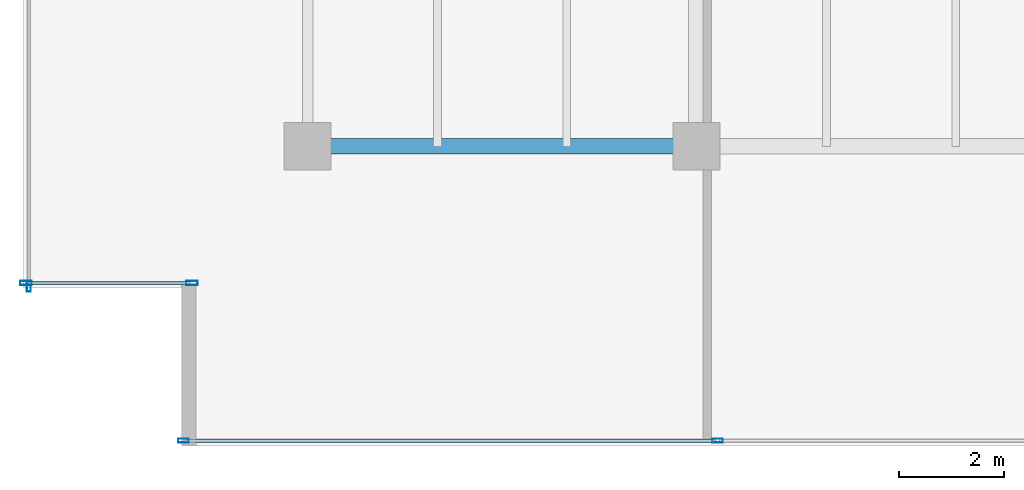
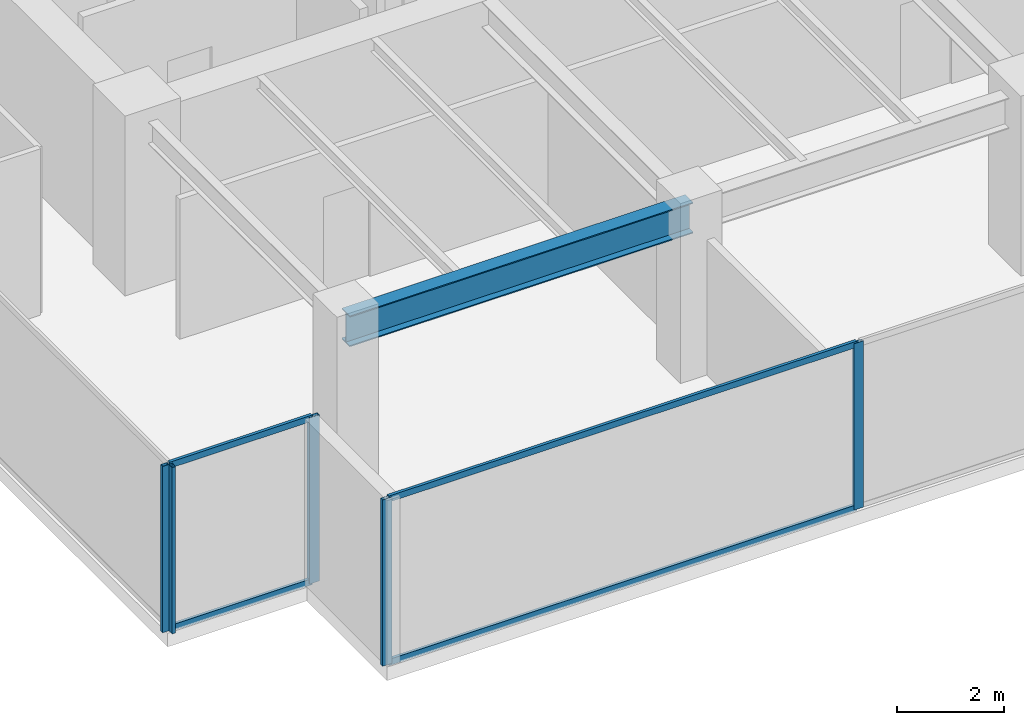
# One storey, part 2 of 31: 9 members, 1 beam, 3 elements without a shape of their own.
"""IFC4 building model written with IfcOpenShell, lengths in metres."""

from ifc_helpers import new_model, si_unit, direction, frame, origin, origin_2d, place, context, subcontext, project, spatial, hollow_rectangle, i_section, extrude, source, transform, mapped, material, layer, layer_set, material_profile, profile_set, type_object, type_shapes, element, aggregate, save


model = new_model("IFC4")

# Units and contexts
model_context = context("Model", 3, precision=1e-05, world=origin(), true_north=direction((0.0, 1.0)))
body_context = subcontext(model_context, "Body", "Model", "MODEL_VIEW")
ifc_project = project(units=[si_unit("LENGTHUNIT", "METRE"), si_unit("AREAUNIT", "SQUARE_METRE"), si_unit("VOLUMEUNIT", "CUBIC_METRE"), si_unit("PLANEANGLEUNIT", "RADIAN"), si_unit("MASSUNIT", "GRAM", prefix="KILO")], contexts=[model_context])

# Site, building, storey
site_placement = place(None, origin())
site = spatial("IfcSite", under=ifc_project, at=site_placement, CompositionType="ELEMENT")
building_placement = place(site_placement, origin())
building = spatial("IfcBuilding", under=site, at=building_placement, Name="Haelvirn Gate Laboratories", CompositionType="ELEMENT")
storey_placement = place(building_placement, frame((0.0, 0.0, 154.300048828125)))
storey = spatial("IfcBuildingStorey", under=building, at=storey_placement, Name="L37", CompositionType="ELEMENT", Elevation=154.300048828125)

# Beam
ifc_material_1 = material(Name="Steel SM355", Category="steel")
ifc_material_profile_1 = material_profile(ifc_material_1, i_section(OverallWidth=0.300048828125, OverallDepth=0.699951171875, WebThickness=0.012939453125, FlangeThickness=0.02392578125, at=origin_2d()), Name="H-700x300x13x24")
ifc_profile_set_1 = profile_set([ifc_material_profile_1], Name="Steel SM355")
beam_type = type_object("IfcBeamType", Name="BM-G-700", PredefinedType="BEAM", material=ifc_profile_set_1)
shared_shape_1 = source(origin(), body_context, "Body", "SweptSolid", [
    extrude(i_section(OverallWidth=0.300048828125, OverallDepth=0.699951171875, WebThickness=0.012939453125, FlangeThickness=0.02392578125, at=origin_2d()), origin(), (0.0, 0.0, 1.0), 7.400146484375),
])
type_shapes(beam_type, [shared_shape_1])
beam_placement = place(storey_placement, frame((7.39990234375, 7.0, 3.43994140625), z_axis=(1.0, 0.0, 0.0), x_axis=(0.0, 1.0, 0.0)))
element("IfcBeam", 1, at=beam_placement, inside=storey, type_object=beam_type, Name="L37 Primary Girder Y7.0 (7.4-14.8)", PredefinedType="BEAM", context=body_context, shape_type="MappedRepresentation", body=[
    mapped(shared_shape_1, transform((0.0, 0.0, 0.0), scale=1.0)),
])

# Curtain wall, members
ifc_material_2 = material(Name="Anodised bronze unitised aluminium & triple low-E glass", Category="aluminium")
ifc_layer_1 = layer(ifc_material_2, 0.179931640625, Name="CW-SYS-3")
ifc_layer_set_1 = layer_set([ifc_layer_1], Name="Anodised bronze unitised aluminium & triple low-E glass")
curtain_wall_type_1 = type_object("IfcCurtainWallType", Name="CW-SYS-3", PredefinedType="NOTDEFINED", material=ifc_layer_set_1)
curtain_wall_1_placement = place(storey_placement, origin())
curtain_wall_1 = element("IfcCurtainWall", 2, at=curtain_wall_1_placement, inside=storey, type_object=curtain_wall_type_1, Name="L37 Unitised Curtain Wall CW-L37-P0-E00-1", PredefinedType="NOTDEFINED")
ifc_material_3 = material(Name="Extruded aluminium 6063-T6 (anodised bronze)", Category="aluminium")
ifc_material_profile_2 = material_profile(ifc_material_3, hollow_rectangle(XDim=0.06494140625, YDim=0.139892578125, WallThickness=0.00390625, at=origin_2d()), Name="CWT-140x65x4")
ifc_profile_set_2 = profile_set([ifc_material_profile_2], Name="Extruded aluminium 6063-T6 (anodised bronze)")
member_type_1 = type_object("IfcMemberType", Name="CWT-T140", PredefinedType="USERDEFINED", material=ifc_profile_set_2)
shared_shape_2 = source(origin(), body_context, "Body", "SweptSolid", [
    extrude(hollow_rectangle(XDim=0.06494140625, YDim=0.139892578125, WallThickness=0.00390625, at=origin_2d()), origin(), (0.0, 0.0, 1.0), 10.087646484375),
])
member_1_placement = place(storey_placement, frame((5.074951171875, 1.39990234375, 0.032470703125), z_axis=(1.0, 0.0, 0.0), x_axis=(0.0, 1.0, 0.0)))
member_1 = element("IfcMember", 3, at=member_1_placement, type_object=member_type_1, Name="CW3 transom 1.1", ObjectType="TRANSOM", PredefinedType="USERDEFINED", context=body_context, shape_type="MappedRepresentation", body=[
    mapped(shared_shape_2, transform((0.0, 0.0, 0.0), scale=1.0)),
])
member_2_placement = place(storey_placement, frame((5.074951171875, 1.39990234375, 3.757568359375), z_axis=(1.0, 0.0, 0.0), x_axis=(0.0, 1.0, 0.0)))
member_2 = element("IfcMember", 4, at=member_2_placement, type_object=member_type_1, Name="CW3 transom 1.2", ObjectType="TRANSOM", PredefinedType="USERDEFINED", context=body_context, shape_type="MappedRepresentation", body=[
    mapped(shared_shape_2, transform((0.0, 0.0, 0.0), scale=1.0)),
])

ifc_layer_2 = layer(ifc_material_2, 0.181884765625, Name="CW-SYS-5")
ifc_layer_set_2 = layer_set([ifc_layer_2], Name="Anodised bronze unitised aluminium & triple low-E glass")
curtain_wall_type_2 = type_object("IfcCurtainWallType", Name="CW-SYS-5", PredefinedType="NOTDEFINED", material=ifc_layer_set_2)
curtain_wall_2_placement = place(storey_placement, origin())
curtain_wall_2 = element("IfcCurtainWall", 5, at=curtain_wall_2_placement, inside=storey, type_object=curtain_wall_type_2, Name="L37 Unitised Curtain Wall CW-L37-P0-E18-1", PredefinedType="NOTDEFINED")
shared_shape_3 = source(origin(), body_context, "Body", "SweptSolid", [
    extrude(hollow_rectangle(XDim=0.06494140625, YDim=0.139892578125, WallThickness=0.00390625, at=origin_2d()), origin(), (0.0, 0.0, 1.0), 3.079833984375),
])
type_shapes(member_type_1, [shared_shape_2, shared_shape_3])
member_3_placement = place(storey_placement, frame((2.080078125, 4.39990234375, 0.032470703125), z_axis=(1.0, 0.0, 0.0), x_axis=(0.0, 1.0, 0.0)))
member_3 = element("IfcMember", 6, at=member_3_placement, type_object=member_type_1, Name="CW5 transom 1.1", ObjectType="TRANSOM", PredefinedType="USERDEFINED", context=body_context, shape_type="MappedRepresentation", body=[
    mapped(shared_shape_3, transform((0.0, 0.0, 0.0), scale=1.0)),
])
member_4_placement = place(storey_placement, frame((2.080078125, 4.39990234375, 3.757568359375), z_axis=(1.0, 0.0, 0.0), x_axis=(0.0, 1.0, 0.0)))
member_4 = element("IfcMember", 7, at=member_4_placement, type_object=member_type_1, Name="CW5 transom 1.2", ObjectType="TRANSOM", PredefinedType="USERDEFINED", context=body_context, shape_type="MappedRepresentation", body=[
    mapped(shared_shape_3, transform((0.0, 0.0, 0.0), scale=1.0)),
])

# Member
ifc_material_profile_3 = material_profile(ifc_material_3, hollow_rectangle(XDim=0.074951171875, YDim=0.199951171875, WallThickness=0.0048828125, at=origin_2d()), Name="CWM-200x75x5")
ifc_profile_set_3 = profile_set([ifc_material_profile_3], Name="Extruded aluminium 6063-T6 (anodised bronze)")
member_type_2 = type_object("IfcMemberType", Name="CWM-T200", PredefinedType="MULLION", material=ifc_profile_set_3)
shared_shape_4 = source(origin(), body_context, "Body", "SweptSolid", [
    extrude(hollow_rectangle(XDim=0.074951171875, YDim=0.199951171875, WallThickness=0.0048828125, at=origin_2d()), origin(), (0.0, 0.0, 1.0), 3.7900390625),
])
type_shapes(member_type_2, [shared_shape_4])
member_5_placement = place(storey_placement, frame((5.03759765625, 1.39990234375, 0.0), z_axis=(0.0, 0.0, 1.0), x_axis=(0.0, 1.0, 0.0)))
member_5 = element("IfcMember", 8, at=member_5_placement, type_object=member_type_2, Name="CW3 mullion 1", PredefinedType="MULLION", context=body_context, shape_type="MappedRepresentation", body=[
    mapped(shared_shape_4, transform((0.0, 0.0, 0.0), scale=1.0)),
])

member_6_placement = place(storey_placement, frame((15.199951171875, 1.39990234375, 0.0), z_axis=(0.0, 0.0, 1.0), x_axis=(0.0, 1.0, 0.0)))
member_6 = element("IfcMember", 9, at=member_6_placement, type_object=member_type_2, Name="CW3 mullion 2", PredefinedType="MULLION", context=body_context, shape_type="MappedRepresentation", body=[
    mapped(shared_shape_4, transform((0.0, 0.0, 0.0), scale=1.0)),
])

aggregate(curtain_wall_1, [member_5, member_6, member_1, member_2])

# Curtain wall, member
curtain_wall_3_placement = place(storey_placement, origin())
curtain_wall_3 = element("IfcCurtainWall", 10, at=curtain_wall_3_placement, inside=storey, type_object=curtain_wall_type_1, Name="L37 Unitised Curtain Wall CW-L37-P0-E17", PredefinedType="NOTDEFINED")
member_7_placement = place(storey_placement, frame((2.10009765625, 4.33740234375, 0.0), z_axis=(0.0, 0.0, 1.0), x_axis=(1.0, 0.0, 0.0)))
member_7 = element("IfcMember", 11, at=member_7_placement, type_object=member_type_2, Name="CW3 mullion 4", PredefinedType="MULLION", context=body_context, shape_type="MappedRepresentation", body=[
    mapped(shared_shape_4, transform((0.0, 0.0, 0.0), scale=1.0)),
])
aggregate(curtain_wall_3, [member_7])

# Member
ifc_material_profile_4 = material_profile(ifc_material_3, hollow_rectangle(XDim=0.080078125, YDim=0.219970703125, WallThickness=0.006103515625, at=origin_2d()), Name="CWM-220x80x6")
ifc_profile_set_4 = profile_set([ifc_material_profile_4], Name="Extruded aluminium 6063-T6 (anodised bronze)")
member_type_3 = type_object("IfcMemberType", Name="CWM-T220", PredefinedType="MULLION", material=ifc_profile_set_4)
shared_shape_5 = source(origin(), body_context, "Body", "SweptSolid", [
    extrude(hollow_rectangle(XDim=0.080078125, YDim=0.219970703125, WallThickness=0.006103515625, at=origin_2d()), origin(), (0.0, 0.0, 1.0), 3.7900390625),
])
type_shapes(member_type_3, [shared_shape_5])
member_8_placement = place(storey_placement, frame((2.0400390625, 4.39990234375, 0.0), z_axis=(0.0, 0.0, 1.0), x_axis=(0.0, 1.0, 0.0)))
member_8 = element("IfcMember", 12, at=member_8_placement, type_object=member_type_3, Name="CW5 mullion 1", PredefinedType="MULLION", context=body_context, shape_type="MappedRepresentation", body=[
    mapped(shared_shape_5, transform((0.0, 0.0, 0.0), scale=1.0)),
])

member_9_placement = place(storey_placement, frame((5.199951171875, 4.39990234375, 0.0), z_axis=(0.0, 0.0, 1.0), x_axis=(0.0, 1.0, 0.0)))
member_9 = element("IfcMember", 13, at=member_9_placement, type_object=member_type_3, Name="CW5 mullion 2", PredefinedType="MULLION", context=body_context, shape_type="MappedRepresentation", body=[
    mapped(shared_shape_5, transform((0.0, 0.0, 0.0), scale=1.0)),
])

aggregate(curtain_wall_2, [member_8, member_9, member_3, member_4])

save(model, "model.ifc")
